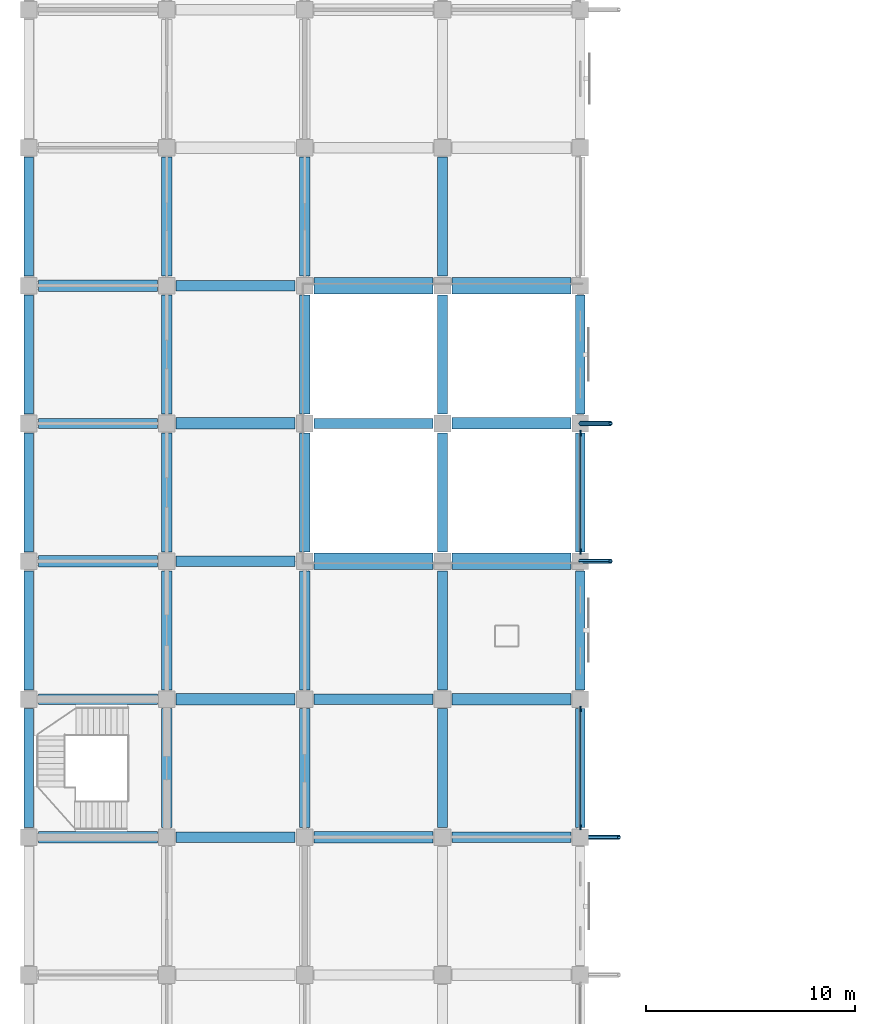
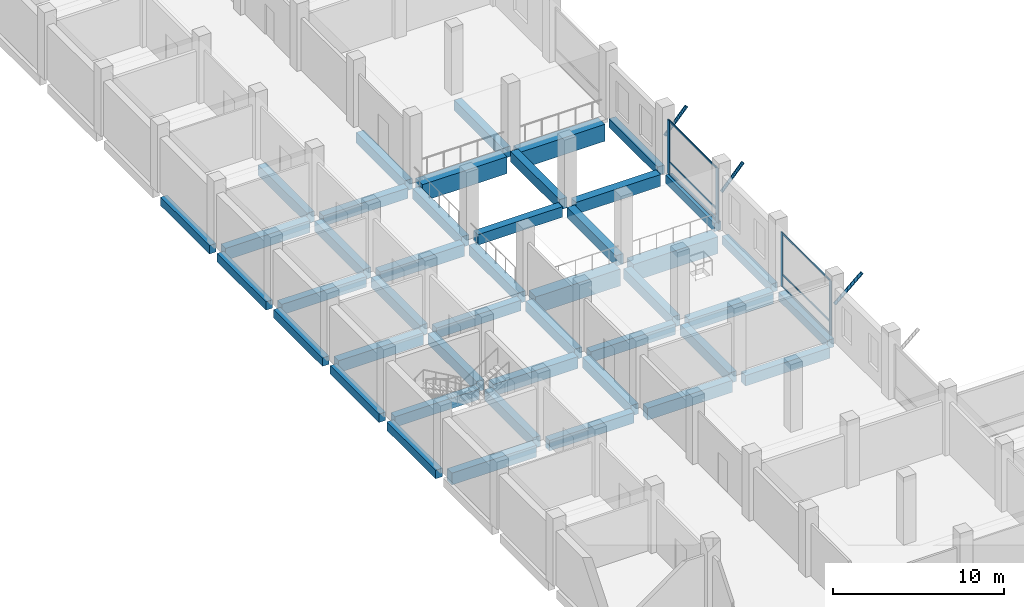
# One storey, part 10 of 34: 44 beams, 13 members, 2 elements without a shape of their own.
"""IFC4 building model written with IfcOpenShell, lengths in metres."""

from ifc_helpers import new_model, si_unit, direction, frame, origin, origin_2d, place, context, subcontext, project, spatial, rectangle, hollow_circle, extrude, material, material_profile, profile_set, type_object, element, aggregate, save


model = new_model("IFC4")

# Units and contexts
model_context = context("Model", 3, precision=1e-05, world=origin(), true_north=direction((0.0, 1.0)))
body_context = subcontext(model_context, "Body", "Model", "MODEL_VIEW")
ifc_project = project(units=[si_unit("LENGTHUNIT", "METRE"), si_unit("AREAUNIT", "SQUARE_METRE"), si_unit("VOLUMEUNIT", "CUBIC_METRE"), si_unit("PLANEANGLEUNIT", "RADIAN"), si_unit("MASSUNIT", "GRAM", prefix="KILO")], contexts=[model_context])

# Site, building, storey
site_placement = place(None, origin())
site = spatial("IfcSite", under=ifc_project, at=site_placement, CompositionType="ELEMENT")
building_placement = place(site_placement, origin())
building = spatial("IfcBuilding", under=site, at=building_placement, Name="Rusizi Kubbe Research Institute", CompositionType="ELEMENT")
storey_placement = place(building_placement, frame((0.0, 0.0, 5.39990234375)))
storey = spatial("IfcBuildingStorey", under=building, at=storey_placement, Name="L01", CompositionType="ELEMENT", Elevation=5.39990234375)

# Beams
ifc_material_1 = material(Name="Concrete C40/50", Category="concrete")
ifc_material_profile_1 = material_profile(ifc_material_1, rectangle(XDim=0.449951171875, YDim=0.60009765625, at=origin_2d()), Name="RC450x600")
ifc_profile_set_1 = profile_set([ifc_material_profile_1], Name="Concrete C40/50")
beam_type_1 = type_object("IfcBeamType", Name="BM-RC450x600", PredefinedType="SPANDREL", material=ifc_profile_set_1)
for number, where, z_axis, x_axis, name in (
    (1, (0.0, 66.449951171875, -0.64990234375), (0.0, 1.0, 0.0), (-1.0, 0.0, 0.0), "Grid Beam V L01 (0,10)"),
    (2, (0.0, 73.050048828125, -0.64990234375), (0.0, 1.0, 0.0), (-1.0, 0.0, 0.0), "Grid Beam V L01 (0,11)"),
):
    element("IfcBeam", number, at=place(storey_placement, frame(where, z_axis=z_axis, x_axis=x_axis)), inside=storey, type_object=beam_type_1, Name=name, PredefinedType="SPANDREL", context=body_context, shape_type="SweptSolid", body=[
        extrude(rectangle(XDim=0.449951171875, YDim=0.60009765625, at=origin_2d()), origin(), (0.0, 0.0, 1.0), 5.699951171875),
    ])
beam_1_placement = place(storey_placement, frame((0.0, 79.64990234375, -0.64990234375), z_axis=(0.0, 1.0, 0.0), x_axis=(-1.0, 0.0, 0.0)))
element("IfcBeam", 3, at=beam_1_placement, inside=storey, type_object=beam_type_1, Name="Grid Beam V L01 (0,12)", PredefinedType="SPANDREL", context=body_context, shape_type="SweptSolid", body=[
    extrude(rectangle(XDim=0.449951171875, YDim=0.60009765625, at=origin_2d()), origin(), (0.0, 0.0, 1.0), 5.7001953125),
])
for number, where, z_axis, x_axis, name in (
    (4, (0.0, 86.25, -0.64990234375), (0.0, 1.0, 0.0), (-1.0, 0.0, 0.0), "Grid Beam V L01 (0,13)"),
    (5, (0.0, 92.85009765625, -0.64990234375), (0.0, 1.0, 0.0), (-1.0, 0.0, 0.0), "Grid Beam V L01 (0,14)"),
    (6, (26.39990234375, 66.449951171875, -0.64990234375), (0.0, 1.0, 0.0), (-1.0, 0.0, 0.0), "Grid Beam V L01 (4,10)"),
    (7, (26.39990234375, 73.050048828125, -0.64990234375), (0.0, 1.0, 0.0), (-1.0, 0.0, 0.0), "Grid Beam V L01 (4,11)"),
):
    element("IfcBeam", number, at=place(storey_placement, frame(where, z_axis=z_axis, x_axis=x_axis)), inside=storey, type_object=beam_type_1, Name=name, PredefinedType="SPANDREL", context=body_context, shape_type="SweptSolid", body=[
        extrude(rectangle(XDim=0.449951171875, YDim=0.60009765625, at=origin_2d()), origin(), (0.0, 0.0, 1.0), 5.699951171875),
    ])
beam_2_placement = place(storey_placement, frame((26.39990234375, 79.64990234375, -0.2998046875), z_axis=(0.0, 1.0, 0.0), x_axis=(-1.0, 0.0, 0.0)))
element("IfcBeam", 8, at=beam_2_placement, inside=storey, type_object=beam_type_1, Name="Grid Beam V L01 (4,12)", PredefinedType="SPANDREL", context=body_context, shape_type="SweptSolid", body=[
    extrude(rectangle(XDim=0.449951171875, YDim=0.60009765625, at=origin_2d()), origin(), (0.0, 0.0, 1.0), 5.7001953125),
])
beam_3_placement = place(storey_placement, frame((26.39990234375, 86.25, -0.2998046875), z_axis=(0.0, 1.0, 0.0), x_axis=(-1.0, 0.0, 0.0)))
element("IfcBeam", 9, at=beam_3_placement, inside=storey, type_object=beam_type_1, Name="Grid Beam V L01 (4,13)", PredefinedType="SPANDREL", context=body_context, shape_type="SweptSolid", body=[
    extrude(rectangle(XDim=0.449951171875, YDim=0.60009765625, at=origin_2d()), origin(), (0.0, 0.0, 1.0), 5.699951171875),
])
ifc_material_2 = material(Name="Concrete C45/55", Category="concrete")
ifc_material_profile_2 = material_profile(ifc_material_2, rectangle(XDim=0.5, YDim=0.75, at=origin_2d()), Name="RC500x750B")
ifc_profile_set_2 = profile_set([ifc_material_profile_2], Name="Concrete C45/55")
beam_type_2 = type_object("IfcBeamType", Name="BM-RC500x750", PredefinedType="BEAM", material=ifc_profile_set_2)
for number, where, z_axis, x_axis, name in (
    (10, (0.449951171875, 72.60009765625, -0.724853515625), (1.0, 0.0, 0.0), (0.0, 1.0, 0.0), "Grid Beam H L01 (0,11)"),
    (11, (0.449951171875, 85.800048828125, -0.724853515625), (1.0, 0.0, 0.0), (0.0, 1.0, 0.0), "Grid Beam H L01 (0,13)"),
    (12, (7.050048828125, 66.0, -0.724853515625), (1.0, 0.0, 0.0), (0.0, 1.0, 0.0), "Grid Beam H L01 (1,10)"),
    (13, (7.050048828125, 79.199951171875, -0.724853515625), (1.0, 0.0, 0.0), (0.0, 1.0, 0.0), "Grid Beam H L01 (1,12)"),
    (14, (7.050048828125, 92.39990234375, -0.724853515625), (1.0, 0.0, 0.0), (0.0, 1.0, 0.0), "Grid Beam H L01 (1,14)"),
):
    element("IfcBeam", number, at=place(storey_placement, frame(where, z_axis=z_axis, x_axis=x_axis)), inside=storey, type_object=beam_type_2, Name=name, PredefinedType="BEAM", context=body_context, shape_type="SweptSolid", body=[
        extrude(rectangle(XDim=0.5, YDim=0.75, at=origin_2d()), origin(), (0.0, 0.0, 1.0), 5.699951171875),
    ])
for number, where, z_axis, x_axis, name in (
    (15, (13.64990234375, 72.60009765625, -0.724853515625), (1.0, 0.0, 0.0), (0.0, 1.0, 0.0), "Grid Beam H L01 (2,11)"),
    (16, (13.64990234375, 85.800048828125, -0.375), (1.0, 0.0, 0.0), (0.0, 1.0, 0.0), "Grid Beam H L01 (2,13)"),
):
    element("IfcBeam", number, at=place(storey_placement, frame(where, z_axis=z_axis, x_axis=x_axis)), inside=storey, type_object=beam_type_2, Name=name, PredefinedType="BEAM", context=body_context, shape_type="SweptSolid", body=[
        extrude(rectangle(XDim=0.5, YDim=0.75, at=origin_2d()), origin(), (0.0, 0.0, 1.0), 5.7001953125),
    ])
for number, where, z_axis, x_axis, name in (
    (17, (20.25, 66.0, -0.724853515625), (1.0, 0.0, 0.0), (0.0, 1.0, 0.0), "Grid Beam H L01 (3,10)"),
    (18, (6.60009765625, 66.449951171875, -0.724853515625), (0.0, 1.0, 0.0), (-1.0, 0.0, 0.0), "Grid Beam V L01 (1,10)"),
    (19, (6.60009765625, 73.050048828125, -0.724853515625), (0.0, 1.0, 0.0), (-1.0, 0.0, 0.0), "Grid Beam V L01 (1,11)"),
):
    element("IfcBeam", number, at=place(storey_placement, frame(where, z_axis=z_axis, x_axis=x_axis)), inside=storey, type_object=beam_type_2, Name=name, PredefinedType="BEAM", context=body_context, shape_type="SweptSolid", body=[
        extrude(rectangle(XDim=0.5, YDim=0.75, at=origin_2d()), origin(), (0.0, 0.0, 1.0), 5.699951171875),
    ])
beam_4_placement = place(storey_placement, frame((6.60009765625, 79.64990234375, -0.724853515625), z_axis=(0.0, 1.0, 0.0), x_axis=(-1.0, 0.0, 0.0)))
element("IfcBeam", 20, at=beam_4_placement, inside=storey, type_object=beam_type_2, Name="Grid Beam V L01 (1,12)", PredefinedType="BEAM", context=body_context, shape_type="SweptSolid", body=[
    extrude(rectangle(XDim=0.5, YDim=0.75, at=origin_2d()), origin(), (0.0, 0.0, 1.0), 5.7001953125),
])
for number, where, z_axis, x_axis, name in (
    (21, (6.60009765625, 86.25, -0.724853515625), (0.0, 1.0, 0.0), (-1.0, 0.0, 0.0), "Grid Beam V L01 (1,13)"),
    (22, (6.60009765625, 92.85009765625, -0.724853515625), (0.0, 1.0, 0.0), (-1.0, 0.0, 0.0), "Grid Beam V L01 (1,14)"),
    (23, (13.199951171875, 66.449951171875, -0.724853515625), (0.0, 1.0, 0.0), (-1.0, 0.0, 0.0), "Grid Beam V L01 (2,10)"),
    (24, (13.199951171875, 73.050048828125, -0.724853515625), (0.0, 1.0, 0.0), (-1.0, 0.0, 0.0), "Grid Beam V L01 (2,11)"),
):
    element("IfcBeam", number, at=place(storey_placement, frame(where, z_axis=z_axis, x_axis=x_axis)), inside=storey, type_object=beam_type_2, Name=name, PredefinedType="BEAM", context=body_context, shape_type="SweptSolid", body=[
        extrude(rectangle(XDim=0.5, YDim=0.75, at=origin_2d()), origin(), (0.0, 0.0, 1.0), 5.699951171875),
    ])
beam_5_placement = place(storey_placement, frame((13.199951171875, 79.64990234375, -0.724853515625), z_axis=(0.0, 1.0, 0.0), x_axis=(-1.0, 0.0, 0.0)))
element("IfcBeam", 25, at=beam_5_placement, inside=storey, type_object=beam_type_2, Name="Grid Beam V L01 (2,12)", PredefinedType="BEAM", context=body_context, shape_type="SweptSolid", body=[
    extrude(rectangle(XDim=0.5, YDim=0.75, at=origin_2d()), origin(), (0.0, 0.0, 1.0), 5.7001953125),
])
for number, where, z_axis, x_axis, name in (
    (26, (13.199951171875, 86.25, -0.724853515625), (0.0, 1.0, 0.0), (-1.0, 0.0, 0.0), "Grid Beam V L01 (2,13)"),
    (27, (13.199951171875, 92.85009765625, -0.724853515625), (0.0, 1.0, 0.0), (-1.0, 0.0, 0.0), "Grid Beam V L01 (2,14)"),
    (28, (19.800048828125, 66.449951171875, -0.724853515625), (0.0, 1.0, 0.0), (-1.0, 0.0, 0.0), "Grid Beam V L01 (3,10)"),
    (29, (19.800048828125, 73.050048828125, -0.724853515625), (0.0, 1.0, 0.0), (-1.0, 0.0, 0.0), "Grid Beam V L01 (3,11)"),
):
    element("IfcBeam", number, at=place(storey_placement, frame(where, z_axis=z_axis, x_axis=x_axis)), inside=storey, type_object=beam_type_2, Name=name, PredefinedType="BEAM", context=body_context, shape_type="SweptSolid", body=[
        extrude(rectangle(XDim=0.5, YDim=0.75, at=origin_2d()), origin(), (0.0, 0.0, 1.0), 5.699951171875),
    ])
beam_6_placement = place(storey_placement, frame((19.800048828125, 79.64990234375, -0.375), z_axis=(0.0, 1.0, 0.0), x_axis=(-1.0, 0.0, 0.0)))
element("IfcBeam", 30, at=beam_6_placement, inside=storey, type_object=beam_type_2, Name="Grid Beam V L01 (3,12)", PredefinedType="BEAM", context=body_context, shape_type="SweptSolid", body=[
    extrude(rectangle(XDim=0.5, YDim=0.75, at=origin_2d()), origin(), (0.0, 0.0, 1.0), 5.7001953125),
])
for number, where, z_axis, x_axis, name in (
    (31, (19.800048828125, 86.25, -0.375), (0.0, 1.0, 0.0), (-1.0, 0.0, 0.0), "Grid Beam V L01 (3,13)"),
    (32, (19.800048828125, 92.85009765625, -0.724853515625), (0.0, 1.0, 0.0), (-1.0, 0.0, 0.0), "Grid Beam V L01 (3,14)"),
):
    element("IfcBeam", number, at=place(storey_placement, frame(where, z_axis=z_axis, x_axis=x_axis)), inside=storey, type_object=beam_type_2, Name=name, PredefinedType="BEAM", context=body_context, shape_type="SweptSolid", body=[
        extrude(rectangle(XDim=0.5, YDim=0.75, at=origin_2d()), origin(), (0.0, 0.0, 1.0), 5.699951171875),
    ])
ifc_material_3 = material(Name="Concrete C45/55", Category="concrete")
ifc_material_profile_3 = material_profile(ifc_material_3, rectangle(XDim=0.550048828125, YDim=0.85009765625, at=origin_2d()), Name="RC550x850")
ifc_profile_set_3 = profile_set([ifc_material_profile_3], Name="Concrete C45/55")
beam_type_3 = type_object("IfcBeamType", Name="BM-RC550x850", PredefinedType="BEAM", material=ifc_profile_set_3)
for number, where, z_axis, x_axis, name in (
    (33, (0.449951171875, 66.0, -0.77490234375), (1.0, 0.0, 0.0), (0.0, 1.0, 0.0), "Grid Beam H L01 (0,10)"),
    (34, (0.449951171875, 79.199951171875, -0.77490234375), (1.0, 0.0, 0.0), (0.0, 1.0, 0.0), "Grid Beam H L01 (0,12)"),
    (35, (0.449951171875, 92.39990234375, -0.77490234375), (1.0, 0.0, 0.0), (0.0, 1.0, 0.0), "Grid Beam H L01 (0,14)"),
    (36, (7.050048828125, 72.60009765625, -0.77490234375), (1.0, 0.0, 0.0), (0.0, 1.0, 0.0), "Grid Beam H L01 (1,11)"),
    (37, (7.050048828125, 85.800048828125, -0.77490234375), (1.0, 0.0, 0.0), (0.0, 1.0, 0.0), "Grid Beam H L01 (1,13)"),
):
    element("IfcBeam", number, at=place(storey_placement, frame(where, z_axis=z_axis, x_axis=x_axis)), inside=storey, type_object=beam_type_3, Name=name, PredefinedType="BEAM", context=body_context, shape_type="SweptSolid", body=[
        extrude(rectangle(XDim=0.550048828125, YDim=0.85009765625, at=origin_2d()), origin(), (0.0, 0.0, 1.0), 5.699951171875),
    ])
beam_7_placement = place(storey_placement, frame((13.64990234375, 66.0, -0.77490234375), z_axis=(1.0, 0.0, 0.0), x_axis=(0.0, 1.0, 0.0)))
element("IfcBeam", 38, at=beam_7_placement, inside=storey, type_object=beam_type_3, Name="Grid Beam H L01 (2,10)", PredefinedType="BEAM", context=body_context, shape_type="SweptSolid", body=[
    extrude(rectangle(XDim=0.550048828125, YDim=0.85009765625, at=origin_2d()), origin(), (0.0, 0.0, 1.0), 5.7001953125),
])
for number, where, z_axis, x_axis, name in (
    (39, (20.25, 72.60009765625, -0.77490234375), (1.0, 0.0, 0.0), (0.0, 1.0, 0.0), "Grid Beam H L01 (3,11)"),
    (40, (20.25, 85.800048828125, -0.4248046875), (1.0, 0.0, 0.0), (0.0, 1.0, 0.0), "Grid Beam H L01 (3,13)"),
):
    element("IfcBeam", number, at=place(storey_placement, frame(where, z_axis=z_axis, x_axis=x_axis)), inside=storey, type_object=beam_type_3, Name=name, PredefinedType="BEAM", context=body_context, shape_type="SweptSolid", body=[
        extrude(rectangle(XDim=0.550048828125, YDim=0.85009765625, at=origin_2d()), origin(), (0.0, 0.0, 1.0), 5.699951171875),
    ])
ifc_material_4 = material(Name="Concrete C45/55", Category="concrete")
ifc_material_profile_4 = material_profile(ifc_material_4, rectangle(XDim=0.800048828125, YDim=1.199951171875, at=origin_2d()), Name="RC800x1200")
ifc_profile_set_4 = profile_set([ifc_material_profile_4], Name="Concrete C45/55")
beam_type_4 = type_object("IfcBeamType", Name="BM-RC800x1200", PredefinedType="BEAM", material=ifc_profile_set_4)
for number, where, z_axis, x_axis, name in (
    (41, (13.64990234375, 79.199951171875, -0.949951171875), (1.0, 0.0, 0.0), (0.0, 1.0, 0.0), "Grid Beam H L01 (2,12)"),
    (42, (13.64990234375, 92.39990234375, -0.949951171875), (1.0, 0.0, 0.0), (0.0, 1.0, 0.0), "Grid Beam H L01 (2,14)"),
):
    element("IfcBeam", number, at=place(storey_placement, frame(where, z_axis=z_axis, x_axis=x_axis)), inside=storey, type_object=beam_type_4, Name=name, PredefinedType="BEAM", context=body_context, shape_type="SweptSolid", body=[
        extrude(rectangle(XDim=0.800048828125, YDim=1.199951171875, at=origin_2d()), origin(), (0.0, 0.0, 1.0), 5.7001953125),
    ])
for number, where, z_axis, x_axis, name in (
    (43, (20.25, 79.199951171875, -0.949951171875), (1.0, 0.0, 0.0), (0.0, 1.0, 0.0), "Grid Beam H L01 (3,12)"),
    (44, (20.25, 92.39990234375, -0.949951171875), (1.0, 0.0, 0.0), (0.0, 1.0, 0.0), "Grid Beam H L01 (3,14)"),
):
    element("IfcBeam", number, at=place(storey_placement, frame(where, z_axis=z_axis, x_axis=x_axis)), inside=storey, type_object=beam_type_4, Name=name, PredefinedType="BEAM", context=body_context, shape_type="SweptSolid", body=[
        extrude(rectangle(XDim=0.800048828125, YDim=1.199951171875, at=origin_2d()), origin(), (0.0, 0.0, 1.0), 5.699951171875),
    ])

# Members
ifc_material_5 = material(Name="Steel S355", Category="steel")
ifc_material_profile_5 = material_profile(ifc_material_5, hollow_circle(Radius=0.109619140625, WallThickness=0.008056640625, at=origin_2d()), Name="CHS 219.1x8.0")
ifc_profile_set_5 = profile_set([ifc_material_profile_5], Name="Steel S355")
member_type_1 = type_object("IfcMemberType", Name="MB-CHS219", PredefinedType="BRACE", material=ifc_profile_set_5)
member_1_placement = place(storey_placement, frame((26.39990234375, 66.0, 2.4501953125), z_axis=(0.756409887843, 0.0, 0.654097914362), x_axis=(0.0, 1.0, 0.0)))
element("IfcMember", 45, at=member_1_placement, inside=storey, type_object=member_type_1, Name="Cumba Diagonal Corbel Brace L02-1N", PredefinedType="BRACE", context=body_context, shape_type="SweptSolid", body=[
    extrude(hollow_circle(Radius=0.109619140625, WallThickness=0.008056640625, at=origin_2d()), origin(), (0.0, 0.0, 1.0), 2.44580078125),
])
for number, where, z_axis, x_axis, name in (
    (46, (26.39990234375, 79.199951171875, 2.4501953125), (0.671602839617, 0.0, 0.74091134815), (0.0, 1.0, 0.0), "Cumba Diagonal Corbel Brace L02-3S"),
    (47, (26.39990234375, 85.800048828125, 2.4501953125), (0.671602839617, 0.0, 0.74091134815), (0.0, 1.0, 0.0), "Cumba Diagonal Corbel Brace L02-3N"),
):
    element("IfcMember", number, at=place(storey_placement, frame(where, z_axis=z_axis, x_axis=x_axis)), inside=storey, type_object=member_type_1, Name=name, PredefinedType="BRACE", context=body_context, shape_type="SweptSolid", body=[
        extrude(hollow_circle(Radius=0.109619140625, WallThickness=0.008056640625, at=origin_2d()), origin(), (0.0, 0.0, 1.0), 2.159423828125),
    ])

# Curtain wall, members
ifc_material_6 = material(Name="Thermally Broken Aluminium and Low-E Glazing", Category="aluminium")
curtain_wall_type = type_object("IfcCurtainWallType", Name="CW-17", PredefinedType="NOTDEFINED", material=ifc_material_6)
curtain_wall_1_placement = place(storey_placement, origin())
curtain_wall_1 = element("IfcCurtainWall", 48, at=curtain_wall_1_placement, inside=storey, type_object=curtain_wall_type, Name="Unitised Facade Curtain Wall CW-L01-V-04-10", PredefinedType="NOTDEFINED")
ifc_material_7 = material(Name="Aluminium Alloy 6063-T6", Category="aluminium")
ifc_material_profile_6 = material_profile(ifc_material_7, rectangle(XDim=0.074951171875, YDim=0.25, at=origin_2d()), Name="ALU-M 75x250")
ifc_profile_set_6 = profile_set([ifc_material_profile_6], Name="Aluminium Alloy 6063-T6")
member_type_2 = type_object("IfcMemberType", Name="ML-05", PredefinedType="MULLION", material=ifc_profile_set_6)
member_2_placement = place(storey_placement, frame((26.39990234375, 66.467529296875, 0.0), z_axis=(0.0, 0.0, 1.0), x_axis=(-1.0, 0.0, 0.0)))
member_2 = element("IfcMember", 49, at=member_2_placement, type_object=member_type_2, Name="CW-17 mullion 1", PredefinedType="MULLION", context=body_context, shape_type="SweptSolid", body=[
    extrude(rectangle(XDim=0.074951171875, YDim=0.25, at=origin_2d()), origin(), (0.0, 0.0, 1.0), 3.85009765625),
])
member_3_placement = place(storey_placement, frame((26.39990234375, 72.132568359375, 0.0), z_axis=(0.0, 0.0, 1.0), x_axis=(-1.0, 0.0, 0.0)))
member_3 = element("IfcMember", 50, at=member_3_placement, type_object=member_type_2, Name="CW-17 mullion 2", PredefinedType="MULLION", context=body_context, shape_type="SweptSolid", body=[
    extrude(rectangle(XDim=0.074951171875, YDim=0.25, at=origin_2d()), origin(), (0.0, 0.0, 1.0), 3.85009765625),
])

curtain_wall_2_placement = place(storey_placement, origin())
curtain_wall_2 = element("IfcCurtainWall", 51, at=curtain_wall_2_placement, inside=storey, type_object=curtain_wall_type, Name="Unitised Facade Curtain Wall CW-L01-V-04-12", PredefinedType="NOTDEFINED")
ifc_material_8 = material(Name="Aluminium Alloy 6063-T6", Category="aluminium")
ifc_material_profile_7 = material_profile(ifc_material_8, rectangle(XDim=0.080078125, YDim=0.280029296875, at=origin_2d()), Name="ALU-M 80x280")
ifc_profile_set_7 = profile_set([ifc_material_profile_7], Name="Aluminium Alloy 6063-T6")
member_type_3 = type_object("IfcMemberType", Name="ML-06", PredefinedType="MULLION", material=ifc_profile_set_7)
member_4_placement = place(storey_placement, frame((26.39990234375, 79.669921875, 0.0), z_axis=(0.0, 0.0, 1.0), x_axis=(-1.0, 0.0, 0.0)))
member_4 = element("IfcMember", 52, at=member_4_placement, type_object=member_type_3, Name="CW-17 mullion 1", PredefinedType="MULLION", context=body_context, shape_type="SweptSolid", body=[
    extrude(rectangle(XDim=0.080078125, YDim=0.280029296875, at=origin_2d()), origin(), (0.0, 0.0, 1.0), 3.85009765625),
])
member_5_placement = place(storey_placement, frame((26.39990234375, 85.330078125, 0.0), z_axis=(0.0, 0.0, 1.0), x_axis=(-1.0, 0.0, 0.0)))
member_5 = element("IfcMember", 53, at=member_5_placement, type_object=member_type_3, Name="CW-17 mullion 2", PredefinedType="MULLION", context=body_context, shape_type="SweptSolid", body=[
    extrude(rectangle(XDim=0.080078125, YDim=0.280029296875, at=origin_2d()), origin(), (0.0, 0.0, 1.0), 3.85009765625),
])

# Member
ifc_material_9 = material(Name="Aluminium Alloy 6063-T6", Category="aluminium")
ifc_material_profile_8 = material_profile(ifc_material_9, rectangle(XDim=0.06005859375, YDim=0.1201171875, at=origin_2d()), Name="ALU-T 60x120")
ifc_profile_set_8 = profile_set([ifc_material_profile_8], Name="Aluminium Alloy 6063-T6")
member_type_4 = type_object("IfcMemberType", Name="TR-01", PredefinedType="USERDEFINED", material=ifc_profile_set_8)
member_6_placement = place(storey_placement, frame((26.39990234375, 66.5048828125, 0.030029296875), z_axis=(0.0, 1.0, 0.0), x_axis=(-1.0, 0.0, 0.0)))
member_6 = element("IfcMember", 54, at=member_6_placement, type_object=member_type_4, Name="CW-17 transom 1.1", ObjectType="TRANSOM", PredefinedType="USERDEFINED", context=body_context, shape_type="SweptSolid", body=[
    extrude(rectangle(XDim=0.06005859375, YDim=0.1201171875, at=origin_2d()), origin(), (0.0, 0.0, 1.0), 5.590087890625),
])

member_7_placement = place(storey_placement, frame((26.39990234375, 66.5048828125, 0.900146484375), z_axis=(0.0, 1.0, 0.0), x_axis=(-1.0, 0.0, 0.0)))
member_7 = element("IfcMember", 55, at=member_7_placement, type_object=member_type_4, Name="CW-17 transom 1.2", ObjectType="TRANSOM", PredefinedType="USERDEFINED", context=body_context, shape_type="SweptSolid", body=[
    extrude(rectangle(XDim=0.06005859375, YDim=0.1201171875, at=origin_2d()), origin(), (0.0, 0.0, 1.0), 5.590087890625),
])

member_8_placement = place(storey_placement, frame((26.39990234375, 66.5048828125, 3.820068359375), z_axis=(0.0, 1.0, 0.0), x_axis=(-1.0, 0.0, 0.0)))
member_8 = element("IfcMember", 56, at=member_8_placement, type_object=member_type_4, Name="CW-17 transom 1.3", ObjectType="TRANSOM", PredefinedType="USERDEFINED", context=body_context, shape_type="SweptSolid", body=[
    extrude(rectangle(XDim=0.06005859375, YDim=0.1201171875, at=origin_2d()), origin(), (0.0, 0.0, 1.0), 5.590087890625),
])

aggregate(curtain_wall_1, [member_2, member_3, member_6, member_7, member_8])

ifc_material_10 = material(Name="Aluminium Alloy 6063-T6", Category="aluminium")
ifc_material_profile_9 = material_profile(ifc_material_10, rectangle(XDim=0.06005859375, YDim=0.139892578125, at=origin_2d()), Name="ALU-T 60x140")
ifc_profile_set_9 = profile_set([ifc_material_profile_9], Name="Aluminium Alloy 6063-T6")
member_type_5 = type_object("IfcMemberType", Name="TR-02", PredefinedType="USERDEFINED", material=ifc_profile_set_9)
member_9_placement = place(storey_placement, frame((26.39990234375, 79.7099609375, 0.030029296875), z_axis=(0.0, 1.0, 0.0), x_axis=(-1.0, 0.0, 0.0)))
member_9 = element("IfcMember", 57, at=member_9_placement, type_object=member_type_5, Name="CW-17 transom 1.1", ObjectType="TRANSOM", PredefinedType="USERDEFINED", context=body_context, shape_type="SweptSolid", body=[
    extrude(rectangle(XDim=0.06005859375, YDim=0.139892578125, at=origin_2d()), origin(), (0.0, 0.0, 1.0), 5.580078125),
])

member_10_placement = place(storey_placement, frame((26.39990234375, 79.7099609375, 0.900146484375), z_axis=(0.0, 1.0, 0.0), x_axis=(-1.0, 0.0, 0.0)))
member_10 = element("IfcMember", 58, at=member_10_placement, type_object=member_type_5, Name="CW-17 transom 1.2", ObjectType="TRANSOM", PredefinedType="USERDEFINED", context=body_context, shape_type="SweptSolid", body=[
    extrude(rectangle(XDim=0.06005859375, YDim=0.139892578125, at=origin_2d()), origin(), (0.0, 0.0, 1.0), 5.580078125),
])

member_11_placement = place(storey_placement, frame((26.39990234375, 79.7099609375, 3.820068359375), z_axis=(0.0, 1.0, 0.0), x_axis=(-1.0, 0.0, 0.0)))
member_11 = element("IfcMember", 59, at=member_11_placement, type_object=member_type_5, Name="CW-17 transom 1.3", ObjectType="TRANSOM", PredefinedType="USERDEFINED", context=body_context, shape_type="SweptSolid", body=[
    extrude(rectangle(XDim=0.06005859375, YDim=0.139892578125, at=origin_2d()), origin(), (0.0, 0.0, 1.0), 5.580078125),
])

aggregate(curtain_wall_2, [member_4, member_5, member_9, member_10, member_11])

save(model, "model.ifc")
